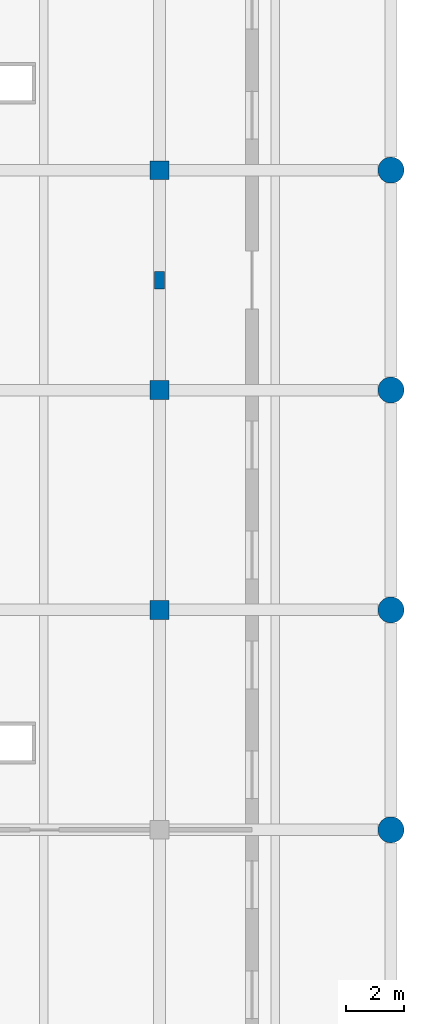
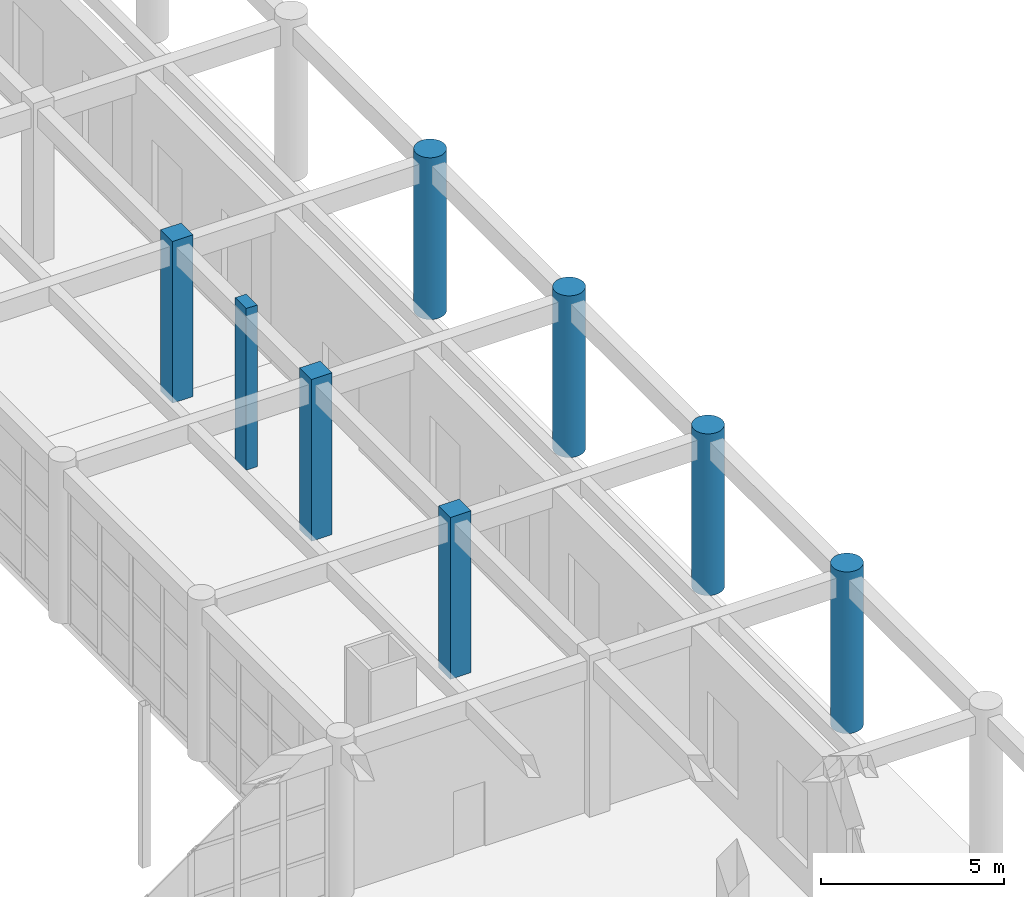
# One storey, part 11 of 95: 8 columns.
"""IFC4 building model written with IfcOpenShell, lengths in metres."""

from ifc_helpers import new_model, si_unit, direction, frame, origin, origin_2d, place, context, subcontext, project, spatial, rectangle, circle, extrude, material, material_profile, profile_set, type_object, element, save


model = new_model("IFC4")

# Units and contexts
model_context = context("Model", 3, precision=1e-05, world=origin(), true_north=direction((0.0, 1.0)))
body_context = subcontext(model_context, "Body", "Model", "MODEL_VIEW")
ifc_project = project(units=[si_unit("LENGTHUNIT", "METRE"), si_unit("AREAUNIT", "SQUARE_METRE"), si_unit("VOLUMEUNIT", "CUBIC_METRE"), si_unit("PLANEANGLEUNIT", "RADIAN"), si_unit("MASSUNIT", "GRAM", prefix="KILO")], contexts=[model_context])

# Site, building, storey
site_placement = place(None, origin())
site = spatial("IfcSite", under=ifc_project, at=site_placement, CompositionType="ELEMENT")
building_placement = place(site_placement, origin())
building = spatial("IfcBuilding", under=site, at=building_placement, Name="Zantavel Square City Hall", CompositionType="ELEMENT")
storey_placement = place(building_placement, origin())
storey = spatial("IfcBuildingStorey", under=building, at=storey_placement, Name="L01", CompositionType="ELEMENT", Elevation=0.0)

# Columns
ifc_material = material(Name="Concrete C40/50", Category="concrete")
ifc_material_profile_1 = material_profile(ifc_material, rectangle(XDim=0.60009765625, YDim=0.35009765625, at=origin_2d()), Name="RC 600x350")
ifc_profile_set_1 = profile_set([ifc_material_profile_1], Name="Concrete C40/50")
column_type_1 = type_object("IfcColumnType", Name="Colossal Facade Pilaster 600x350 C40/50", PredefinedType="PILASTER", material=ifc_profile_set_1)
column_placement = place(storey_placement, frame((160.0, 57.0, 0.0), z_axis=(0.0, 0.0, 1.0), x_axis=(0.0, 1.0, 0.0)))
element("IfcColumn", 1, at=column_placement, inside=storey, type_object=column_type_1, Name="L01 Facade Pilaster PIL-L01-1600-0570", PredefinedType="PILASTER", context=body_context, shape_type="SweptSolid", body=[
    extrude(rectangle(XDim=0.60009765625, YDim=0.35009765625, at=origin_2d()), origin(), (0.0, 0.0, 1.0), 5.39990234375),
])
ifc_material_profile_2 = material_profile(ifc_material, rectangle(XDim=0.64990234375, YDim=0.64990234375, at=origin_2d()), Name="RC 650x650")
ifc_profile_set_2 = profile_set([ifc_material_profile_2], Name="Concrete C40/50")
column_type_2 = type_object("IfcColumnType", Name="Column RC 650x650 C40/50", PredefinedType="COLUMN", material=ifc_profile_set_2)
for number, where, z_axis, x_axis, name in (
    (2, (160.0, 45.60009765625, 0.0), (0.0, 0.0, 1.0), (1.0, 0.0, 0.0), "L01 Column COL-L01-1600-0456"),
    (3, (160.0, 53.199951171875, 0.0), (0.0, 0.0, 1.0), (1.0, 0.0, 0.0), "L01 Column COL-L01-1600-0532"),
    (4, (160.0, 60.800048828125, 0.0), (0.0, 0.0, 1.0), (1.0, 0.0, 0.0), "L01 Column COL-L01-1600-0608"),
):
    element("IfcColumn", number, at=place(storey_placement, frame(where, z_axis=z_axis, x_axis=x_axis)), inside=storey, type_object=column_type_2, Name=name, PredefinedType="COLUMN", context=body_context, shape_type="SweptSolid", body=[
        extrude(rectangle(XDim=0.64990234375, YDim=0.64990234375, at=origin_2d()), origin(), (0.0, 0.0, 1.0), 5.39990234375),
    ])
ifc_material_profile_3 = material_profile(ifc_material, circle(Radius=0.449951171875, at=origin_2d()), Name="ROUND D900")
ifc_profile_set_3 = profile_set([ifc_material_profile_3], Name="Concrete C40/50")
column_type_3 = type_object("IfcColumnType", Name="Portales Tuscan Column D900 C40/50", PredefinedType="COLUMN", material=ifc_profile_set_3)
for number, where, z_axis, x_axis, name in (
    (5, (168.0, 38.0, 0.0), (0.0, 0.0, 1.0), (1.0, 0.0, 0.0), "L01 Column COL-L01-1680-0380"),
    (6, (168.0, 45.60009765625, 0.0), (0.0, 0.0, 1.0), (1.0, 0.0, 0.0), "L01 Column COL-L01-1680-0456"),
    (7, (168.0, 53.199951171875, 0.0), (0.0, 0.0, 1.0), (1.0, 0.0, 0.0), "L01 Column COL-L01-1680-0532"),
    (8, (168.0, 60.800048828125, 0.0), (0.0, 0.0, 1.0), (1.0, 0.0, 0.0), "L01 Column COL-L01-1680-0608"),
):
    element("IfcColumn", number, at=place(storey_placement, frame(where, z_axis=z_axis, x_axis=x_axis)), inside=storey, type_object=column_type_3, Name=name, PredefinedType="COLUMN", context=body_context, shape_type="SweptSolid", body=[
        extrude(circle(Radius=0.449951171875, at=origin_2d()), origin(), (0.0, 0.0, 1.0), 5.39990234375),
    ])

save(model, "model.ifc")
